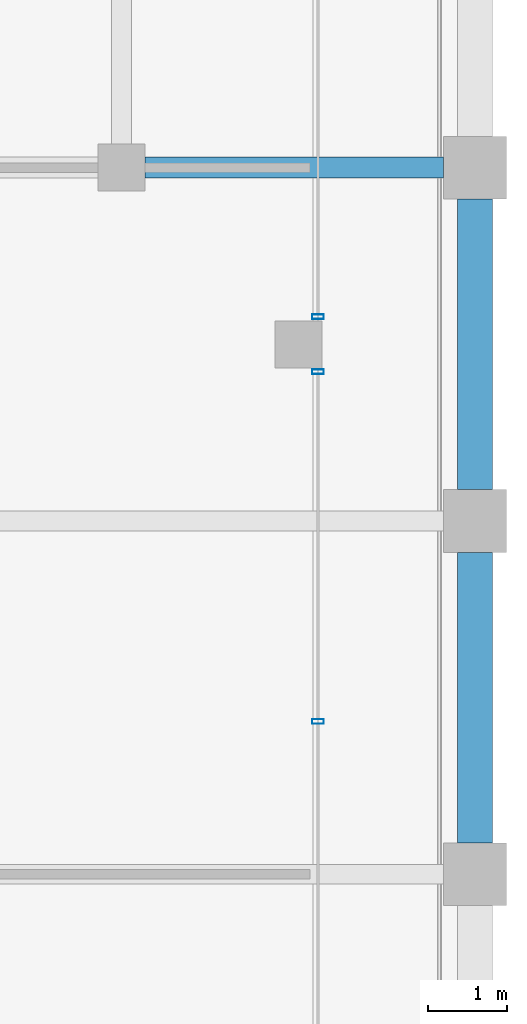
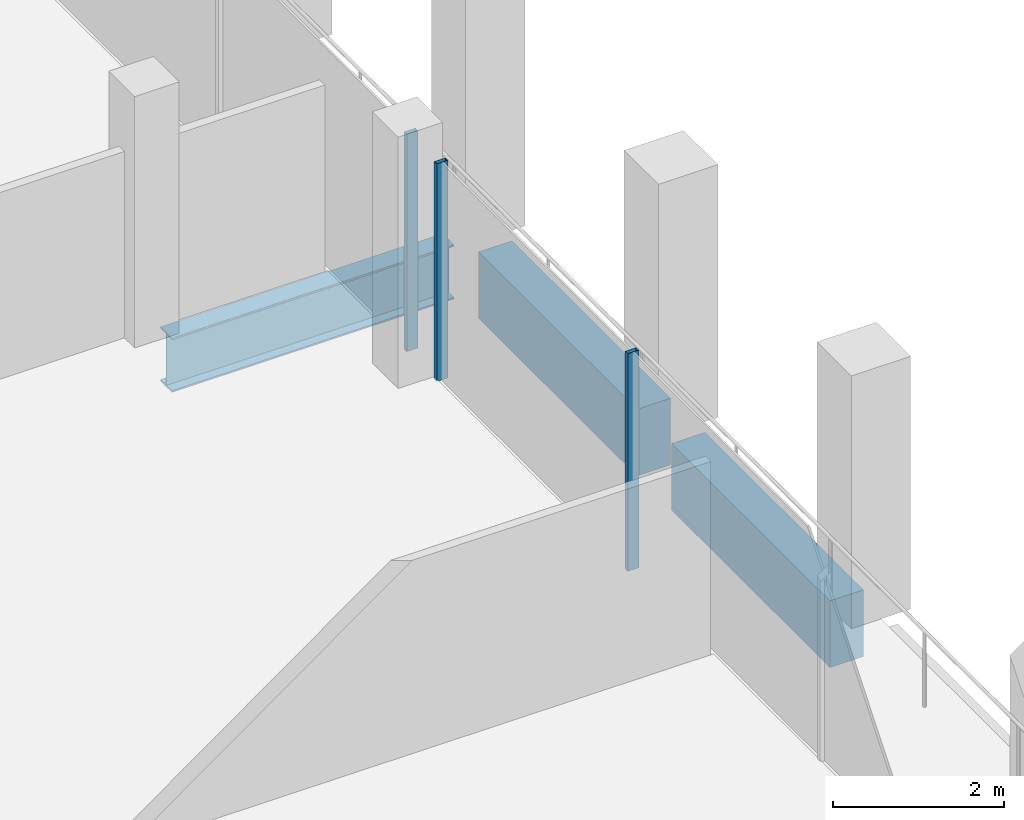
# One storey, part 19 of 30: 3 beams, 3 members, 2 elements without a shape of their own.
"""IFC4 building model written with IfcOpenShell, lengths in metres."""

import ifcopenshell
import ifcopenshell.guid

model = None  # the IFC model being written
_history = None  # IfcOwnerHistory: only IFC2X3 demands one
_inside = {}  # id of a spatial element -> (the spatial element, [elements in it])
_under = {}  # id of a project, library or spatial element -> (it, [spatial elements below it])
_declared = {}  # id of a project -> (the project, [libraries it declares])
_typed = {}  # id of a type object -> (the type object, [elements of that type])
_made_of = {}  # id of a material, layer set ... -> (it, [elements and type objects made of it])


def new_model(schema):
    """Start an empty IFC model of exactly this schema.

    Asked for "IFC4X3", IfcOpenShell would pick the latest addendum, in which some entities
    have other attributes; the version numbers below select the first issue.
    IFC2X3 requires an IfcOwnerHistory on every rooted entity: one is made here for all.
    """
    global model, _history
    if schema == "IFC4X3":
        model = ifcopenshell.file(schema_version=(4, 3, 0, 0))
    else:
        model = ifcopenshell.file(schema=schema)
    _inside.clear()
    _under.clear()
    _declared.clear()
    _typed.clear()
    _made_of.clear()
    _history = None
    if model.schema == "IFC2X3":
        org = make("IfcOrganization", Name="unknown")
        user = make(
            "IfcPersonAndOrganization",
            ThePerson=make("IfcPerson", FamilyName="unknown"),
            TheOrganization=org,
        )
        app = make(
            "IfcApplication",
            ApplicationDeveloper=org,
            Version="unknown",
            ApplicationFullName="unknown",
            ApplicationIdentifier="unknown",
        )
        _history = make(
            "IfcOwnerHistory",
            OwningUser=user,
            OwningApplication=app,
            ChangeAction="ADDED",
            CreationDate=0,
        )
    return model


def make(cls, **values):
    """One entity of the class cls with the attributes given. An attribute that is None is left unset."""
    return model.create_entity(
        cls, **{name: value for name, value in values.items() if value is not None}
    )


def rooted(cls, **values):
    """An entity with a GlobalId (a new one), such as an element, a storey or a relation."""
    return make(cls, GlobalId=ifcopenshell.guid.new(), OwnerHistory=_history, **values)


def si_unit(unit_type, name, prefix=None):
    """IfcSIUnit, for example si_unit("LENGTHUNIT", "METRE", prefix="MILLI")."""
    return make("IfcSIUnit", UnitType=unit_type, Prefix=prefix, Name=name)


def assignment(units):
    """IfcUnitAssignment: the units of a project."""
    return None if units is None else make("IfcUnitAssignment", Units=units)


def point(xyz):
    """IfcCartesianPoint."""
    return None if xyz is None else make("IfcCartesianPoint", Coordinates=xyz)


def direction(xyz):
    """IfcDirection."""
    return None if xyz is None else make("IfcDirection", DirectionRatios=xyz)


def frame(location, z_axis=None, x_axis=None):
    """IfcAxis2Placement3D, a coordinate frame: its origin and axes. An axis left out is left unset."""
    return make(
        "IfcAxis2Placement3D",
        Location=point(location),
        Axis=direction(z_axis),
        RefDirection=direction(x_axis),
    )


def frame_2d(location, x_axis=None):
    """IfcAxis2Placement2D, a coordinate frame in the plane: its origin and x axis."""
    return make(
        "IfcAxis2Placement2D", Location=point(location), RefDirection=direction(x_axis)
    )


def origin():
    """The frame at (0, 0, 0) with its axes left unset."""
    return frame((0.0, 0.0, 0.0))


def origin_2d():
    """The frame at (0, 0) in the plane with its x axis left unset."""
    return frame_2d((0.0, 0.0))


def place(relative_to, where):
    """IfcLocalPlacement: puts the frame where relative to a parent placement (None: the world)."""
    return make(
        "IfcLocalPlacement", PlacementRelTo=relative_to, RelativePlacement=where
    )


def context(
    kind, dimensions, precision=None, world=None, true_north=None, identifier=None
):
    """IfcGeometricRepresentationContext, for example the 3D "Model" context."""
    return make(
        "IfcGeometricRepresentationContext",
        ContextIdentifier=identifier,
        ContextType=kind,
        CoordinateSpaceDimension=dimensions,
        Precision=precision,
        WorldCoordinateSystem=world,
        TrueNorth=true_north,
    )


def subcontext(parent, identifier, kind, view, scale=None):
    """IfcGeometricRepresentationSubContext, for example "Body" below "Model"."""
    return make(
        "IfcGeometricRepresentationSubContext",
        ContextIdentifier=identifier,
        ContextType=kind,
        ParentContext=parent,
        TargetScale=scale,
        TargetView=view,
    )


def project(units=None, contexts=None):
    """IfcProject with its units and contexts."""
    return rooted(
        "IfcProject",
        Name="project",
        RepresentationContexts=contexts,
        UnitsInContext=assignment(units),
    )


def spatial(cls, under=None, at=None, **own):
    """A site, building, storey or space (cls), placed at a placement, below another one or the project."""
    s = rooted(cls, ObjectPlacement=at, **own)
    if under is not None:
        _under.setdefault(under.id(), (under, []))[1].append(s)
    return s


def profile(cls, at=None, kind="AREA", **sizes):
    """A parametric profile (cls). Its sizes go by their IFC names, for example OverallWidth=200.0."""
    return make(cls, ProfileType=kind, Position=at, **sizes)


def rectangle(**sizes):
    """IfcRectangleProfileDef."""
    return profile("IfcRectangleProfileDef", **sizes)


def hollow_rectangle(**sizes):
    """IfcRectangleHollowProfileDef."""
    return profile("IfcRectangleHollowProfileDef", **sizes)


def i_section(**sizes):
    """IfcIShapeProfileDef."""
    return profile("IfcIShapeProfileDef", **sizes)


def extrude(swept, where, along, depth):
    """IfcExtrudedAreaSolid: the profile swept, set in the frame where, extruded along a direction by depth."""
    return make(
        "IfcExtrudedAreaSolid",
        SweptArea=swept,
        Position=where,
        ExtrudedDirection=direction(along),
        Depth=depth,
    )


def shape(context_of_items, identifier, shape_type, items):
    """IfcShapeRepresentation: the items that make up one representation, for example the "Body"."""
    return make(
        "IfcShapeRepresentation",
        ContextOfItems=context_of_items,
        RepresentationIdentifier=identifier,
        RepresentationType=shape_type,
        Items=items,
    )


def material(Name=None, Category=None):
    """IfcMaterial."""
    return make("IfcMaterial", Name=Name, Category=Category)


def material_profile(
    of_material, cross_section, Name=None, Category=None, Priority=None
):
    """IfcMaterialProfile: a cross section and its material."""
    return make(
        "IfcMaterialProfile",
        Name=Name,
        Material=of_material,
        Profile=cross_section,
        Priority=Priority,
        Category=Category,
    )


def profile_set(profiles, Name=None, composite=None):
    """IfcMaterialProfileSet."""
    return make(
        "IfcMaterialProfileSet",
        Name=Name,
        MaterialProfiles=profiles,
        CompositeProfile=composite,
    )


def made_of(thing, what):
    """Note that an element or type object is made of a material, layer set ...; save() writes the relation."""
    if what is not None:
        _made_of.setdefault(what.id(), (what, []))[1].append(thing)
    return thing


def type_object(cls, material=None, **own):
    """A type object (cls), such as IfcWallType, which elements share."""
    return made_of(rooted(cls, **own), material)


def element(
    cls,
    number,
    at=None,
    inside=None,
    cuts=None,
    type_object=None,
    material=None,
    context=None,
    identifier="Body",
    shape_type=None,
    held_by="IfcProductDefinitionShape",
    body=None,
    shapes=None,
    **own,
):
    """One element of the class cls, such as IfcWall. Its Tag is "e" and its number.

    at: its placement. inside: the storey or other place that contains it. cuts: it is an
    opening in that element (IfcRelVoidsElement). A single representation is given by context,
    identifier, shape_type and body (its items); several are given by shapes. held_by: the class
    of the entity that holds the representations. save() writes the other relations.
    """
    e = rooted(cls, Tag="e%d" % number, ObjectPlacement=at, **own)
    if body is not None:
        shapes = [shape(context, identifier, shape_type, body)]
    if shapes is not None:
        e.Representation = make(held_by, Representations=shapes)
    if inside is not None:
        _inside.setdefault(inside.id(), (inside, []))[1].append(e)
    if cuts is not None:
        rooted(
            "IfcRelVoidsElement", RelatingBuildingElement=cuts, RelatedOpeningElement=e
        )
    if type_object is not None:
        _typed.setdefault(type_object.id(), (type_object, []))[1].append(e)
    return made_of(e, material)


def aggregate(whole, parts):
    """IfcRelAggregates: a whole, such as a stair, and the parts it consists of."""
    return rooted("IfcRelAggregates", RelatingObject=whole, RelatedObjects=parts)


def save(model, path):
    """Write the relations noted so far, then the file.

    IfcRelAggregates (storeys below a building ...), IfcRelContainedInSpatialStructure (elements
    in a storey), IfcRelDefinesByType, IfcRelAssociatesMaterial and IfcRelDeclares: one each for
    every whole, place, type object, material and project.
    """
    for whole, parts in _under.values():
        aggregate(whole, parts)
    for where, things in _inside.values():
        rooted(
            "IfcRelContainedInSpatialStructure",
            RelatedElements=things,
            RelatingStructure=where,
        )
    for kind, things in _typed.values():
        rooted("IfcRelDefinesByType", RelatedObjects=things, RelatingType=kind)
    for what, things in _made_of.values():
        rooted("IfcRelAssociatesMaterial", RelatedObjects=things, RelatingMaterial=what)
    for by, libraries in _declared.values():
        rooted("IfcRelDeclares", RelatingContext=by, RelatedDefinitions=libraries)
    model.write(path)


model = new_model("IFC4")

# Units and contexts
model_context = context("Model", 3, precision=1e-05, world=origin(), true_north=direction((0.0, 1.0)))
body_context = subcontext(model_context, "Body", "Model", "MODEL_VIEW")
ifc_project = project(units=[si_unit("LENGTHUNIT", "METRE"), si_unit("AREAUNIT", "SQUARE_METRE"), si_unit("VOLUMEUNIT", "CUBIC_METRE"), si_unit("PLANEANGLEUNIT", "RADIAN"), si_unit("MASSUNIT", "GRAM", prefix="KILO")], contexts=[model_context])

# Site, building, storey
site_placement = place(None, origin())
site = spatial("IfcSite", under=ifc_project, at=site_placement, CompositionType="ELEMENT")
building_placement = place(site_placement, origin())
building = spatial("IfcBuilding", under=site, at=building_placement, Name="Altepetl Exchange Towers", CompositionType="ELEMENT")
storey_placement = place(building_placement, frame((0.0, 0.0, 228.0)))
storey = spatial("IfcBuildingStorey", under=building, at=storey_placement, Name="L58", CompositionType="ELEMENT", Elevation=228.0)

# Beam
ifc_material_1 = material(Name="Steel S355", Category="steel")
ifc_material_profile_1 = material_profile(ifc_material_1, i_section(OverallWidth=0.26806640625, OverallDepth=0.77392578125, WebThickness=0.015380859375, FlangeThickness=0.025390625, at=origin_2d()), Name="W30X132")
ifc_profile_set_1 = profile_set([ifc_material_profile_1], Name="Steel S355")
beam_type_1 = type_object("IfcBeamType", Name="Girder W30X132", PredefinedType="BEAM", material=ifc_profile_set_1)
beam_placement = place(storey_placement, frame((67.800048828125, 58.5, -0.537109375), z_axis=(1.0, 0.0, 0.0), x_axis=(0.0, 1.0, 0.0)))
element("IfcBeam", 1, at=beam_placement, inside=storey, type_object=beam_type_1, Name="gd:A:L58:002", PredefinedType="BEAM", context=body_context, shape_type="SweptSolid", body=[
    extrude(i_section(OverallWidth=0.26806640625, OverallDepth=0.77392578125, WebThickness=0.015380859375, FlangeThickness=0.025390625, at=origin_2d()), origin(), (0.0, 0.0, 1.0), 3.800048828125),
])

# Curtain wall, members
ifc_material_2 = material(Name="Aluminium 6063-T6 glazing", Category="aluminium")
curtain_wall_type = type_object("IfcCurtainWallType", Name="Loggia glazing system", PredefinedType="NOTDEFINED", material=ifc_material_2)
curtain_wall_1_placement = place(storey_placement, origin())
curtain_wall_1 = element("IfcCurtainWall", 2, at=curtain_wall_1_placement, inside=storey, type_object=curtain_wall_type, Name="CW1 run", PredefinedType="NOTDEFINED")
ifc_material_3 = material(Name="Aluminium 6063-T6", Category="aluminium")
ifc_material_profile_2 = material_profile(ifc_material_3, hollow_rectangle(XDim=0.06005859375, YDim=0.14990234375, WallThickness=0.0029296875, at=origin_2d()), Name="Mullion 60x150 aluminium")
ifc_profile_set_2 = profile_set([ifc_material_profile_2], Name="Aluminium 6063-T6")
member_type = type_object("IfcMemberType", Name="Mullion 60x150 aluminium", PredefinedType="MULLION", material=ifc_profile_set_2)
member_1_placement = place(storey_placement, frame((70.0, 51.444091796875, 0.0), z_axis=(0.0, 0.0, 1.0), x_axis=(0.0, 1.0, 0.0)))
member_1 = element("IfcMember", 3, at=member_1_placement, type_object=member_type, Name="MU1 mullion", PredefinedType="MULLION", context=body_context, shape_type="SweptSolid", body=[
    extrude(hollow_rectangle(XDim=0.06005859375, YDim=0.14990234375, WallThickness=0.0029296875, at=origin_2d()), origin(), (0.0, 0.0, 1.0), 3.10009765625),
])
member_2_placement = place(storey_placement, frame((70.0, 55.89990234375, 0.0), z_axis=(0.0, 0.0, 1.0), x_axis=(0.0, 1.0, 0.0)))
member_2 = element("IfcMember", 4, at=member_2_placement, type_object=member_type, Name="MU1 mullion", PredefinedType="MULLION", context=body_context, shape_type="SweptSolid", body=[
    extrude(hollow_rectangle(XDim=0.06005859375, YDim=0.14990234375, WallThickness=0.0029296875, at=origin_2d()), origin(), (0.0, 0.0, 1.0), 3.10009765625),
])
aggregate(curtain_wall_1, [member_1, member_2])

# Curtain wall, member
curtain_wall_2_placement = place(storey_placement, origin())
curtain_wall_2 = element("IfcCurtainWall", 5, at=curtain_wall_2_placement, inside=storey, type_object=curtain_wall_type, Name="CW1 run", PredefinedType="NOTDEFINED")
member_3_placement = place(storey_placement, frame((70.0, 56.60009765625, 0.0), z_axis=(0.0, 0.0, 1.0), x_axis=(0.0, 1.0, 0.0)))
member_3 = element("IfcMember", 6, at=member_3_placement, type_object=member_type, Name="MU1 mullion", PredefinedType="MULLION", context=body_context, shape_type="SweptSolid", body=[
    extrude(hollow_rectangle(XDim=0.06005859375, YDim=0.14990234375, WallThickness=0.0029296875, at=origin_2d()), origin(), (0.0, 0.0, 1.0), 3.10009765625),
])
aggregate(curtain_wall_2, [member_3])

# Beams
ifc_material_4 = material(Name="Concrete C50/60 precast with cantera amarilla facing", Category="concrete")
ifc_material_profile_3 = material_profile(ifc_material_4, rectangle(XDim=0.449951171875, YDim=0.949951171875, at=origin_2d()), Name="450 x 950")
ifc_profile_set_3 = profile_set([ifc_material_profile_3], Name="Concrete C50/60 precast with cantera amarilla facing")
beam_type_2 = type_object("IfcBeamType", Name="Spandrel beam 450x950 cantera amarilla", PredefinedType="SPANDREL", material=ifc_profile_set_3)
for number, where, z_axis, x_axis, name in (
    (7, (72.0, 49.89990234375, -0.625), (0.0, 1.0, 0.0), (-1.0, 0.0, 0.0), "sp:A:L58:016"),
    (8, (72.0, 54.39990234375, -0.625), (0.0, 1.0, 0.0), (-1.0, 0.0, 0.0), "sp:A:L58:017"),
):
    element("IfcBeam", number, at=place(storey_placement, frame(where, z_axis=z_axis, x_axis=x_axis)), inside=storey, type_object=beam_type_2, Name=name, PredefinedType="SPANDREL", context=body_context, shape_type="SweptSolid", body=[
        extrude(rectangle(XDim=0.449951171875, YDim=0.949951171875, at=origin_2d()), origin(), (0.0, 0.0, 1.0), 3.7001953125),
    ])

save(model, "model.ifc")
